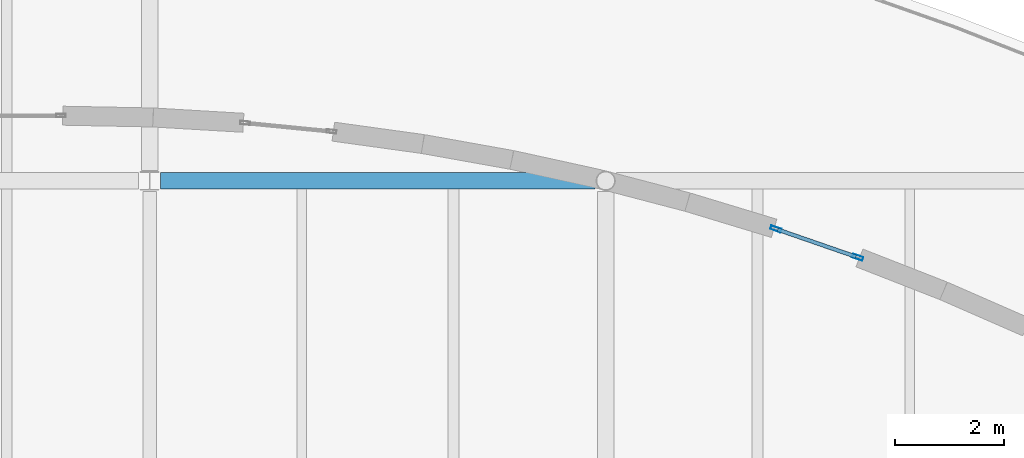
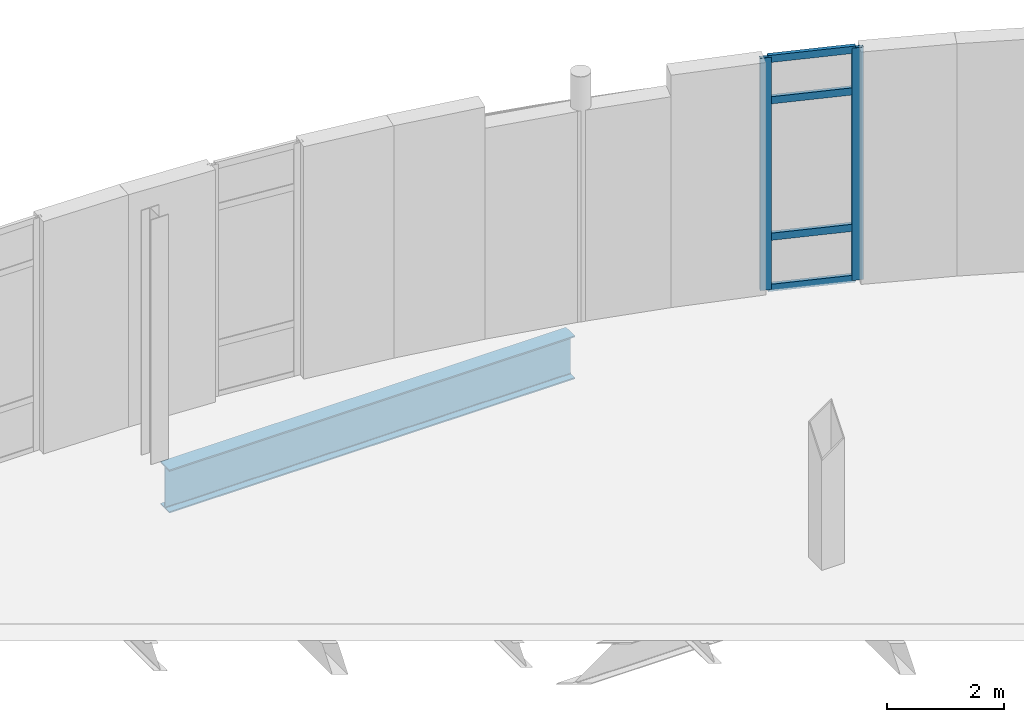
# One storey, part 38 of 91: 6 members, 1 beam, 1 element without a shape of its own.
"""IFC4 building model written with IfcOpenShell, lengths in metres."""

from ifc_helpers import new_model, si_unit, direction, frame, origin, origin_2d, place, context, subcontext, project, spatial, hollow_rectangle, i_section, extrude, material, layer, layer_set, material_profile, profile_set, type_object, element, aggregate, save


model = new_model("IFC4")

# Units and contexts
model_context = context("Model", 3, precision=1e-05, world=origin(), true_north=direction((0.0, 1.0)))
body_context = subcontext(model_context, "Body", "Model", "MODEL_VIEW")
ifc_project = project(units=[si_unit("LENGTHUNIT", "METRE"), si_unit("AREAUNIT", "SQUARE_METRE"), si_unit("VOLUMEUNIT", "CUBIC_METRE"), si_unit("PLANEANGLEUNIT", "RADIAN"), si_unit("MASSUNIT", "GRAM", prefix="KILO"), si_unit("THERMODYNAMICTEMPERATUREUNIT", "KELVIN")], contexts=[model_context])

# Site, building, storey
site_placement = place(None, origin())
site = spatial("IfcSite", under=ifc_project, at=site_placement, CompositionType="ELEMENT")
building_placement = place(site_placement, origin())
building = spatial("IfcBuilding", under=site, at=building_placement, Name="Lustrewick Department Store", CompositionType="ELEMENT")
storey_placement = place(building_placement, frame((0.0, 0.0, 21.60009765625)))
storey = spatial("IfcBuildingStorey", under=building, at=storey_placement, Name="L05", CompositionType="ELEMENT", Elevation=21.60009765625)

# Curtain wall, members
ifc_material_1 = material(Name="Thermally broken aluminium 6063-T5", Category="aluminium")
ifc_layer = layer(ifc_material_1, 0.199951171875, Name="Thermally broken aluminium 6063-T5")
ifc_layer_set = layer_set([ifc_layer], Name="Thermally broken aluminium 6063-T5")
curtain_wall_type = type_object("IfcCurtainWallType", Name="CW10", PredefinedType="NOTDEFINED", material=ifc_layer_set)
curtain_wall_placement = place(storey_placement, origin())
curtain_wall = element("IfcCurtainWall", 1, at=curtain_wall_placement, inside=storey, type_object=curtain_wall_type, Name="L05 V4 Curtain Wall CW10", PredefinedType="NOTDEFINED")
ifc_material_profile_1 = material_profile(ifc_material_1, hollow_rectangle(XDim=0.070068359375, YDim=0.199951171875, WallThickness=0.00390625, at=origin_2d()), Name="ALU-M 70x200x4")
ifc_profile_set_1 = profile_set([ifc_material_profile_1], Name="Thermally broken aluminium 6063-T5")
member_type_1 = type_object("IfcMemberType", Name="CW10-M1", PredefinedType="MULLION", material=ifc_profile_set_1)
member_1_placement = place(storey_placement, frame((130.642333984375, 99.390869140625, 0.0), z_axis=(0.0, 0.0, 1.0), x_axis=(-0.327628285902, -0.944806703129, 0.0)))
member_1 = element("IfcMember", 2, at=member_1_placement, type_object=member_type_1, Name="CW10 mullion 1", PredefinedType="MULLION", context=body_context, shape_type="SweptSolid", body=[
    extrude(hollow_rectangle(XDim=0.070068359375, YDim=0.199951171875, WallThickness=0.00390625, at=origin_2d()), origin(), (0.0, 0.0, 1.0), 4.844970703125),
])
member_2_placement = place(storey_placement, frame((129.13525390625, 99.913330078125, 0.0), z_axis=(0.0, 0.0, 1.0), x_axis=(-0.327628285902, -0.944806703129, 0.0)))
member_2 = element("IfcMember", 3, at=member_2_placement, type_object=member_type_1, Name="CW10 mullion 2", PredefinedType="MULLION", context=body_context, shape_type="SweptSolid", body=[
    extrude(hollow_rectangle(XDim=0.070068359375, YDim=0.199951171875, WallThickness=0.00390625, at=origin_2d()), origin(), (0.0, 0.0, 1.0), 4.844970703125),
])
ifc_material_profile_2 = material_profile(ifc_material_1, hollow_rectangle(XDim=0.070068359375, YDim=0.14990234375, WallThickness=0.00390625, at=origin_2d()), Name="ALU-T 70x150x4")
ifc_profile_set_2 = profile_set([ifc_material_profile_2], Name="Thermally broken aluminium 6063-T5")
member_type_2 = type_object("IfcMemberType", Name="CW10-T1", PredefinedType="USERDEFINED", material=ifc_profile_set_2)
member_3_placement = place(storey_placement, frame((130.609375, 99.40234375, 0.034912109375), z_axis=(-0.94483751964, 0.32753940447, 0.0), x_axis=(-0.32753940447, -0.94483751964, 0.0)))
member_3 = element("IfcMember", 4, at=member_3_placement, type_object=member_type_2, Name="CW10 transom 1.1", ObjectType="TRANSOM", PredefinedType="USERDEFINED", context=body_context, shape_type="SweptSolid", body=[
    extrude(hollow_rectangle(XDim=0.070068359375, YDim=0.14990234375, WallThickness=0.00390625, at=origin_2d()), origin(), (0.0, 0.0, 1.0), 1.525146484375),
])
member_4_placement = place(storey_placement, frame((130.609375, 99.40234375, 1.099853515625), z_axis=(-0.94483751964, 0.32753940447, 0.0), x_axis=(-0.32753940447, -0.94483751964, 0.0)))
member_4 = element("IfcMember", 5, at=member_4_placement, type_object=member_type_2, Name="CW10 transom 1.2", ObjectType="TRANSOM", PredefinedType="USERDEFINED", context=body_context, shape_type="SweptSolid", body=[
    extrude(hollow_rectangle(XDim=0.070068359375, YDim=0.14990234375, WallThickness=0.00390625, at=origin_2d()), origin(), (0.0, 0.0, 1.0), 1.525146484375),
])
member_5_placement = place(storey_placement, frame((130.609375, 99.40234375, 3.94482421875), z_axis=(-0.94483751964, 0.32753940447, 0.0), x_axis=(-0.32753940447, -0.94483751964, 0.0)))
member_5 = element("IfcMember", 6, at=member_5_placement, type_object=member_type_2, Name="CW10 transom 1.3", ObjectType="TRANSOM", PredefinedType="USERDEFINED", context=body_context, shape_type="SweptSolid", body=[
    extrude(hollow_rectangle(XDim=0.070068359375, YDim=0.14990234375, WallThickness=0.00390625, at=origin_2d()), origin(), (0.0, 0.0, 1.0), 1.525146484375),
])
member_6_placement = place(storey_placement, frame((130.609375, 99.40234375, 4.809814453125), z_axis=(-0.94483751964, 0.32753940447, 0.0), x_axis=(-0.32753940447, -0.94483751964, 0.0)))
member_6 = element("IfcMember", 7, at=member_6_placement, type_object=member_type_2, Name="CW10 transom 1.4", ObjectType="TRANSOM", PredefinedType="USERDEFINED", context=body_context, shape_type="SweptSolid", body=[
    extrude(hollow_rectangle(XDim=0.070068359375, YDim=0.14990234375, WallThickness=0.00390625, at=origin_2d()), origin(), (0.0, 0.0, 1.0), 1.525146484375),
])
aggregate(curtain_wall, [member_1, member_2, member_3, member_4, member_5, member_6])

# Beam
ifc_material_2 = material(Name="Structural steel Q355C", Category="steel")
ifc_material_profile_3 = material_profile(ifc_material_2, i_section(OverallWidth=0.300048828125, OverallDepth=0.89990234375, WebThickness=0.01611328125, FlangeThickness=0.028076171875, FilletRadius=0.02392578125, at=origin_2d()), Name="HN 900x300x16x28")
ifc_profile_set_3 = profile_set([ifc_material_profile_3], Name="Structural steel Q355C")
beam_type = type_object("IfcBeamType", Name="G02", PredefinedType="BEAM", material=ifc_profile_set_3)
beam_placement = place(storey_placement, frame((117.801025390625, 100.800048828125, -0.705078125), z_axis=(1.0, 0.0, 0.0), x_axis=(0.0, 1.0, 0.0)))
element("IfcBeam", 8, at=beam_placement, inside=storey, type_object=beam_type, Name="L05 V4 Girder G02", PredefinedType="BEAM", context=body_context, shape_type="SweptSolid", body=[
    extrude(i_section(OverallWidth=0.300048828125, OverallDepth=0.89990234375, WebThickness=0.01611328125, FlangeThickness=0.028076171875, FilletRadius=0.02392578125, at=origin_2d()), origin(), (0.0, 0.0, 1.0), 7.998046875),
])

save(model, "model.ifc")
